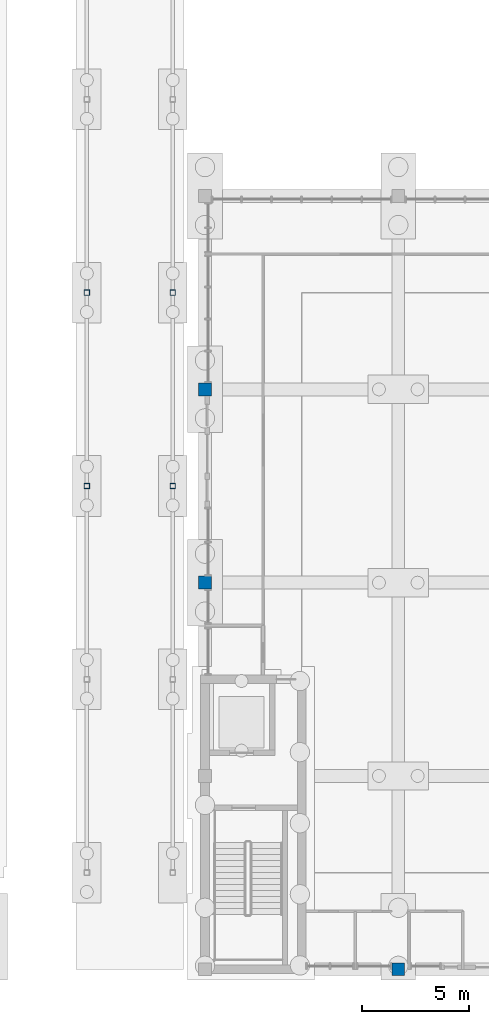
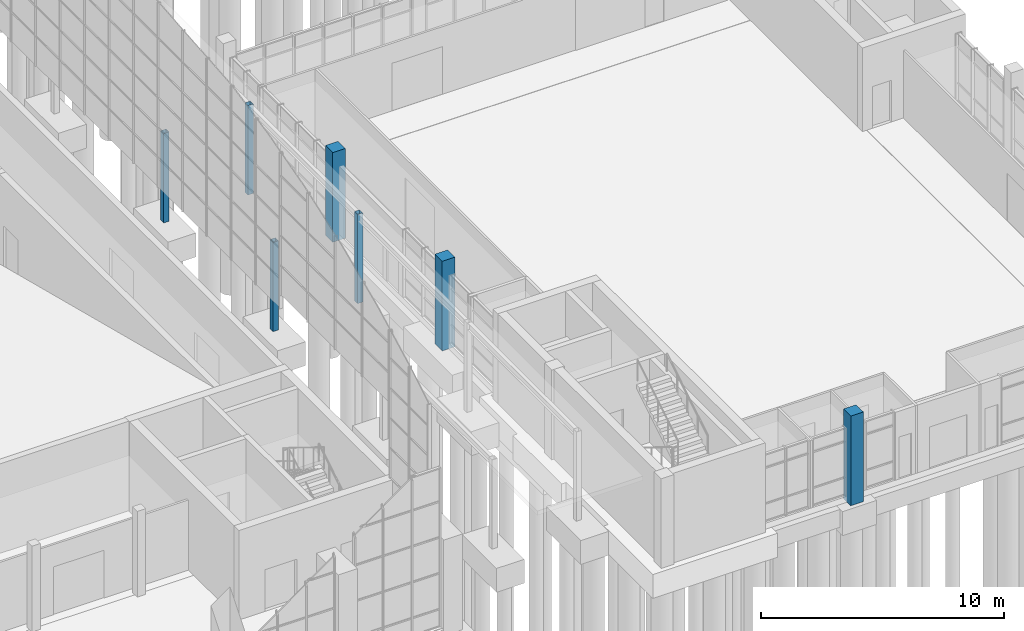
# One storey, part 10 of 106: 7 columns.
"""IFC4 building model written with IfcOpenShell, lengths in metres."""

from ifc_helpers import new_model, si_unit, direction, frame, origin, origin_2d, place, context, subcontext, project, spatial, rectangle, hollow_rectangle, extrude, material, material_profile, profile_set, type_object, element, save


model = new_model("IFC4")

# Units and contexts
model_context = context("Model", 3, precision=1e-05, world=origin(), true_north=direction((0.0, 1.0)))
body_context = subcontext(model_context, "Body", "Model", "MODEL_VIEW")
ifc_project = project(units=[si_unit("LENGTHUNIT", "METRE"), si_unit("AREAUNIT", "SQUARE_METRE"), si_unit("VOLUMEUNIT", "CUBIC_METRE"), si_unit("PLANEANGLEUNIT", "RADIAN"), si_unit("MASSUNIT", "GRAM", prefix="KILO")], contexts=[model_context])

# Site, building, storey
site_placement = place(None, origin())
site = spatial("IfcSite", under=ifc_project, at=site_placement, CompositionType="ELEMENT")
building_placement = place(site_placement, origin())
building = spatial("IfcBuilding", under=site, at=building_placement, Name="Merrow Basin Faculty of Sciences", CompositionType="ELEMENT")
storey_placement = place(building_placement, origin())
storey = spatial("IfcBuildingStorey", under=building, at=storey_placement, Name="L00", CompositionType="ELEMENT", Elevation=0.0)

# Columns
ifc_material_1 = material(Name="Steel ASTM A500 Gr C", Category="steel")
ifc_material_profile_1 = material_profile(ifc_material_1, hollow_rectangle(XDim=0.25390625, YDim=0.25390625, WallThickness=0.0126953125, at=origin_2d()))
ifc_profile_set_1 = profile_set([ifc_material_profile_1], Name="Steel ASTM A500 Gr C")
column_type_1 = type_object("IfcColumnType", Name="Canopy column HSS254x254x12.7", PredefinedType="COLUMN", material=ifc_profile_set_1)
for number, where, z_axis, x_axis, name in (
    (1, (39.5, 22.5, -0.300048828125), (0.0, 0.0, 1.0), (1.0, 0.0, 0.0), "Canopy column P2"),
    (2, (39.5, 31.5, -0.300048828125), (0.0, 0.0, 1.0), (1.0, 0.0, 0.0), "Canopy column P2"),
    (3, (43.5, 22.5, -0.300048828125), (0.0, 0.0, 1.0), (1.0, 0.0, 0.0), "Canopy column P2"),
    (4, (43.5, 31.5, -0.300048828125), (0.0, 0.0, 1.0), (1.0, 0.0, 0.0), "Canopy column P2"),
):
    element("IfcColumn", number, at=place(storey_placement, frame(where, z_axis=z_axis, x_axis=x_axis)), inside=storey, type_object=column_type_1, Name=name, PredefinedType="COLUMN", context=body_context, shape_type="SweptSolid", body=[
        extrude(hollow_rectangle(XDim=0.25390625, YDim=0.25390625, WallThickness=0.0126953125, at=origin_2d()), origin(), (0.0, 0.0, 1.0), 4.47998046875),
    ])
ifc_material_2 = material(Name="Concrete C40/50", Category="concrete")
ifc_material_profile_2 = material_profile(ifc_material_2, rectangle(XDim=0.60009765625, YDim=0.60009765625, at=origin_2d()))
ifc_profile_set_2 = profile_set([ifc_material_profile_2], Name="Concrete C40/50")
column_type_2 = type_object("IfcColumnType", Name="Column RC600x600 C40/50", PredefinedType="COLUMN", material=ifc_profile_set_2)
for number, where, z_axis, x_axis, name in (
    (5, (45.0, 18.0, -0.300048828125), (0.0, 0.0, 1.0), (1.0, 0.0, 0.0), "Column F L00"),
    (6, (45.0, 27.0, -0.300048828125), (0.0, 0.0, 1.0), (1.0, 0.0, 0.0), "Column F L00"),
    (7, (54.0, 0.0, -0.300048828125), (0.0, 0.0, 1.0), (1.0, 0.0, 0.0), "Column G10 L00"),
):
    element("IfcColumn", number, at=place(storey_placement, frame(where, z_axis=z_axis, x_axis=x_axis)), inside=storey, type_object=column_type_2, Name=name, PredefinedType="COLUMN", context=body_context, shape_type="SweptSolid", body=[
        extrude(rectangle(XDim=0.60009765625, YDim=0.60009765625, at=origin_2d()), origin(), (0.0, 0.0, 1.0), 4.5),
    ])

save(model, "model.ifc")
